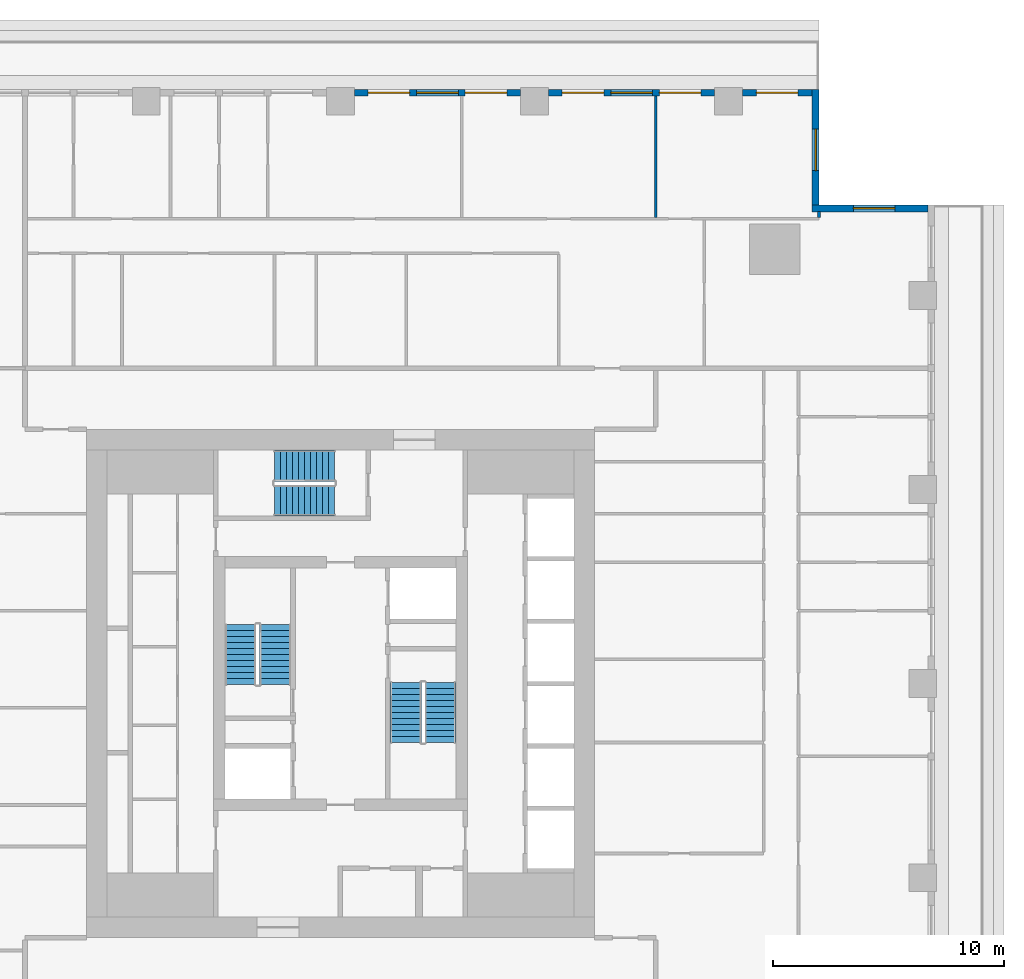
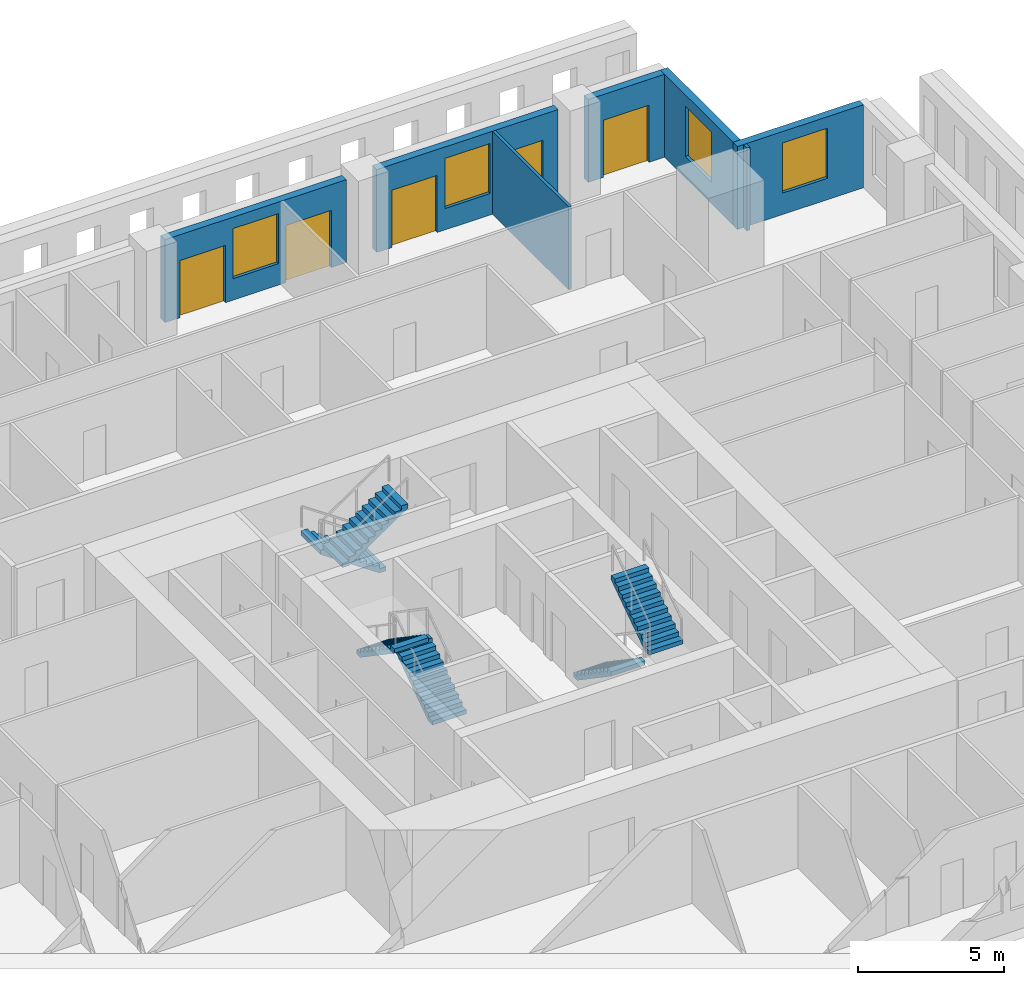
# One storey, part 9 of 14: 7 walls, 6 stair flights, 5 doors, 4 windows, 9 openings, 3 elements without a shape of their own.
"""IFC4 building model written with IfcOpenShell, lengths in metres."""

from ifc_helpers import new_model, si_unit, direction, frame, frame_2d, origin, place, context, subcontext, project, spatial, polyline, rectangle, outline, extrude, material, layer, layer_set, type_object, element, fill, aggregate, save


model = new_model("IFC4")

# Units and contexts
model_context = context("Model", 3, precision=1e-05, world=origin(), true_north=direction((0.0, 1.0)))
body_context = subcontext(model_context, "Body", "Model", "MODEL_VIEW")
ifc_project = project(units=[si_unit("LENGTHUNIT", "METRE"), si_unit("AREAUNIT", "SQUARE_METRE"), si_unit("VOLUMEUNIT", "CUBIC_METRE"), si_unit("PLANEANGLEUNIT", "RADIAN"), si_unit("MASSUNIT", "GRAM", prefix="KILO")], contexts=[model_context])

# Site, building, storey
site_placement = place(None, origin())
site = spatial("IfcSite", under=ifc_project, at=site_placement, CompositionType="ELEMENT")
building_placement = place(site_placement, origin())
building = spatial("IfcBuilding", under=site, at=building_placement, Name="Khepri Terraces", CompositionType="ELEMENT")
storey_placement = place(building_placement, frame((0.0, 0.0, 271.800048828125)))
storey = spatial("IfcBuildingStorey", under=building, at=storey_placement, Name="L65", CompositionType="ELEMENT", Elevation=271.800048828125)

# Wall, opening, window
ifc_material_1 = material(Name="Precast concrete C50/60 warm stone", Category="masonry")
ifc_layer_1 = layer(ifc_material_1, 0.300048828125, Name="Precast concrete C50/60 warm stone", Category="masonry")
ifc_layer_set_1 = layer_set([ifc_layer_1], Name="Precast concrete C50/60 warm stone")
wall_type_1 = type_object("IfcWallType", Name="WL-EXT-PRECAST-300", PredefinedType="STANDARD", material=ifc_layer_set_1)
wall_1_placement = place(storey_placement, frame((25.419921875, 20.570068359375, 0.0), z_axis=(0.0, 0.0, 1.0), x_axis=(-1.0, 0.0, 0.0)))
wall_1 = element("IfcWall", 1, at=wall_1_placement, inside=storey, type_object=wall_type_1, Name="External wall L65 N", PredefinedType="STANDARD", context=body_context, shape_type="SweptSolid", body=[
    extrude(rectangle(XDim=5.0, YDim=0.300048828125, at=frame_2d((2.5, 0.0))), origin(), (0.0, 0.0, 1.0), 3.47998046875),
])
opening_1_placement = place(wall_1_placement, frame((1.419921875, 0.0, 0.89990234375)))
opening_1 = element("IfcOpeningElement", 2, at=opening_1_placement, cuts=wall_1, Name="Opening W1", PredefinedType="OPENING", context=body_context, shape_type="SweptSolid", body=[
    extrude(rectangle(XDim=1.800048828125, YDim=2.10009765625, at=frame_2d((0.89990234375, 1.050048828125))), frame((0.0, 0.16015625, 0.0), z_axis=(0.0, -1.0, 0.0), x_axis=(1.0, 0.0, 0.0)), (0.0, 0.0, 1.0), 0.320068359375),
])
ifc_material_2 = material(Name="Clear glass", Category="glass")
window_type = type_object("IfcWindowType", Name="WIN-RES-1800x2100", PartitioningType="SINGLE_PANEL", PredefinedType="WINDOW", material=ifc_material_2)
window_1_placement = place(opening_1_placement, origin())
window_1 = element("IfcWindow", 3, at=window_1_placement, inside=storey, type_object=window_type, Name="Window L65 N", OverallHeight=2.10009765625, OverallWidth=1.800048828125, PartitioningType="SINGLE_PANEL", PredefinedType="WINDOW", context=body_context, shape_type="SweptSolid", body=[
    extrude(rectangle(XDim=1.800048828125, YDim=2.10009765625, at=frame_2d((0.89990234375, 1.050048828125))), frame((0.0, 0.030029296875, 0.0), z_axis=(0.0, -1.0, 0.0), x_axis=(1.0, 0.0, 0.0)), (0.0, 0.0, 1.0), 0.06005859375),
])
fill(opening_1, window_1)

wall_2_placement = place(storey_placement, frame((20.570068359375, 20.719970703125, 0.0), z_axis=(0.0, 0.0, 1.0), x_axis=(0.0, 1.0, 0.0)))
wall_2 = element("IfcWall", 4, at=wall_2_placement, inside=storey, type_object=wall_type_1, Name="External wall L65 E", PredefinedType="STANDARD", context=body_context, shape_type="SweptSolid", body=[
    extrude(rectangle(XDim=5.0, YDim=0.300048828125, at=frame_2d((2.5, 0.0))), origin(), (0.0, 0.0, 1.0), 3.47998046875),
])
opening_2_placement = place(wall_2_placement, frame((1.47998046875, 0.0, 0.89990234375)))
opening_2 = element("IfcOpeningElement", 5, at=opening_2_placement, cuts=wall_2, Name="Opening W1", PredefinedType="OPENING", context=body_context, shape_type="SweptSolid", body=[
    extrude(rectangle(XDim=1.800048828125, YDim=2.10009765625, at=frame_2d((0.89990234375, 1.050048828125))), frame((0.0, 0.16015625, 0.0), z_axis=(0.0, -1.0, 0.0), x_axis=(1.0, 0.0, 0.0)), (0.0, 0.0, 1.0), 0.320068359375),
])
window_2_placement = place(opening_2_placement, origin())
window_2 = element("IfcWindow", 6, at=window_2_placement, inside=storey, type_object=window_type, Name="Window L65 E", OverallHeight=2.10009765625, OverallWidth=1.800048828125, PartitioningType="SINGLE_PANEL", PredefinedType="WINDOW", context=body_context, shape_type="SweptSolid", body=[
    extrude(rectangle(XDim=1.800048828125, YDim=2.10009765625, at=frame_2d((0.89990234375, 1.050048828125))), frame((0.0, 0.030029296875, 0.0), z_axis=(0.0, -1.0, 0.0), x_axis=(1.0, 0.0, 0.0)), (0.0, 0.0, 1.0), 0.06005859375),
])
fill(opening_2, window_2)

# Wall, opening, door
wall_3_placement = place(storey_placement, frame((20.419921875, 25.570068359375, 0.0), z_axis=(0.0, 0.0, 1.0), x_axis=(-1.0, 0.0, 0.0)))
wall_3 = element("IfcWall", 7, at=wall_3_placement, inside=storey, type_object=wall_type_1, Name="External wall L65 N", PredefinedType="STANDARD", context=body_context, shape_type="SweptSolid", body=[
    extrude(rectangle(XDim=3.02001953125, YDim=0.300048828125, at=frame_2d((1.510009765625, 0.0))), origin(), (0.0, 0.0, 1.0), 3.47998046875),
])
opening_3_placement = place(wall_3_placement, frame((0.6201171875, 0.0, 0.0)))
opening_3 = element("IfcOpeningElement", 8, at=opening_3_placement, cuts=wall_3, Name="Opening ED-L65-05", PredefinedType="OPENING", context=body_context, shape_type="SweptSolid", body=[
    extrude(rectangle(XDim=1.800048828125, YDim=2.39990234375, at=frame_2d((0.89990234375, 1.199951171875))), frame((0.0, 0.16015625, 0.0), z_axis=(0.0, -1.0, 0.0), x_axis=(1.0, 0.0, 0.0)), (0.0, 0.0, 1.0), 0.320068359375),
])
ifc_material_3 = material(Name="Anodised aluminium bronze glazed door", Category="aluminium")
door_type = type_object("IfcDoorType", Name="DR-BAL-SLIDE-1800x2400", OperationType="NOTDEFINED", PredefinedType="DOOR", material=ifc_material_3)
door_1_placement = place(opening_3_placement, origin())
door_1 = element("IfcDoor", 9, at=door_1_placement, inside=storey, type_object=door_type, Name="Balcony door L65 N", OperationType="SLIDING_TO_RIGHT", OverallHeight=2.39990234375, OverallWidth=1.800048828125, PredefinedType="DOOR", context=body_context, shape_type="SweptSolid", body=[
    extrude(rectangle(XDim=1.800048828125, YDim=2.39990234375, at=frame_2d((0.89990234375, 1.199951171875))), frame((0.0, 0.02490234375, 0.0), z_axis=(0.0, -1.0, 0.0), x_axis=(1.0, 0.0, 0.0)), (0.0, 0.0, 1.0), 0.050048828125),
])
fill(opening_3, door_1)

# Wall, openings, doors, window
wall_4_placement = place(storey_placement, frame((16.199951171875, 25.570068359375, 0.0), z_axis=(0.0, 0.0, 1.0), x_axis=(-1.0, 0.0, 0.0)))
wall_4 = element("IfcWall", 10, at=wall_4_placement, inside=storey, type_object=wall_type_1, Name="External wall L65 N", PredefinedType="STANDARD", context=body_context, shape_type="SweptSolid", body=[
    extrude(rectangle(XDim=7.199951171875, YDim=0.300048828125, at=frame_2d((3.60009765625, 0.0))), origin(), (0.0, 0.0, 1.0), 3.47998046875),
])
opening_4_placement = place(wall_4_placement, frame((0.60009765625, 0.0, 0.0)))
opening_4 = element("IfcOpeningElement", 11, at=opening_4_placement, cuts=wall_4, Name="Opening ED-L65-06", PredefinedType="OPENING", context=body_context, shape_type="SweptSolid", body=[
    extrude(rectangle(XDim=1.800048828125, YDim=2.39990234375, at=frame_2d((0.89990234375, 1.199951171875))), frame((0.0, 0.16015625, 0.0), z_axis=(0.0, -1.0, 0.0), x_axis=(1.0, 0.0, 0.0)), (0.0, 0.0, 1.0), 0.320068359375),
])
opening_5_placement = place(wall_4_placement, frame((2.699951171875, 0.0, 0.89990234375)))
opening_5 = element("IfcOpeningElement", 12, at=opening_5_placement, cuts=wall_4, Name="Opening W1", PredefinedType="OPENING", context=body_context, shape_type="SweptSolid", body=[
    extrude(rectangle(XDim=1.800048828125, YDim=2.10009765625, at=frame_2d((0.89990234375, 1.050048828125))), frame((0.0, 0.16015625, 0.0), z_axis=(0.0, -1.0, 0.0), x_axis=(1.0, 0.0, 0.0)), (0.0, 0.0, 1.0), 0.320068359375),
])
opening_6_placement = place(wall_4_placement, frame((4.800048828125, 0.0, 0.0)))
opening_6 = element("IfcOpeningElement", 13, at=opening_6_placement, cuts=wall_4, Name="Opening ED-L65-07", PredefinedType="OPENING", context=body_context, shape_type="SweptSolid", body=[
    extrude(rectangle(XDim=1.800048828125, YDim=2.39990234375, at=frame_2d((0.89990234375, 1.199951171875))), frame((0.0, 0.16015625, 0.0), z_axis=(0.0, -1.0, 0.0), x_axis=(1.0, 0.0, 0.0)), (0.0, 0.0, 1.0), 0.320068359375),
])
door_2_placement = place(opening_4_placement, origin())
door_2 = element("IfcDoor", 14, at=door_2_placement, inside=storey, type_object=door_type, Name="Balcony door L65 N", OperationType="SLIDING_TO_LEFT", OverallHeight=2.39990234375, OverallWidth=1.800048828125, PredefinedType="DOOR", context=body_context, shape_type="SweptSolid", body=[
    extrude(rectangle(XDim=1.800048828125, YDim=2.39990234375, at=frame_2d((0.89990234375, 1.199951171875))), frame((0.0, 0.02490234375, 0.0), z_axis=(0.0, -1.0, 0.0), x_axis=(1.0, 0.0, 0.0)), (0.0, 0.0, 1.0), 0.050048828125),
])
fill(opening_4, door_2)
door_3_placement = place(opening_6_placement, origin())
door_3 = element("IfcDoor", 15, at=door_3_placement, inside=storey, type_object=door_type, Name="Balcony door L65 N", OperationType="SLIDING_TO_RIGHT", OverallHeight=2.39990234375, OverallWidth=1.800048828125, PredefinedType="DOOR", context=body_context, shape_type="SweptSolid", body=[
    extrude(rectangle(XDim=1.800048828125, YDim=2.39990234375, at=frame_2d((0.89990234375, 1.199951171875))), frame((0.0, 0.02490234375, 0.0), z_axis=(0.0, -1.0, 0.0), x_axis=(1.0, 0.0, 0.0)), (0.0, 0.0, 1.0), 0.050048828125),
])
fill(opening_6, door_3)
window_3_placement = place(opening_5_placement, origin())
window_3 = element("IfcWindow", 16, at=window_3_placement, inside=storey, type_object=window_type, Name="Window L65 N", OverallHeight=2.10009765625, OverallWidth=1.800048828125, PartitioningType="SINGLE_PANEL", PredefinedType="WINDOW", context=body_context, shape_type="SweptSolid", body=[
    extrude(rectangle(XDim=1.800048828125, YDim=2.10009765625, at=frame_2d((0.89990234375, 1.050048828125))), frame((0.0, 0.030029296875, 0.0), z_axis=(0.0, -1.0, 0.0), x_axis=(1.0, 0.0, 0.0)), (0.0, 0.0, 1.0), 0.06005859375),
])
fill(opening_5, window_3)

wall_5_placement = place(storey_placement, frame((7.800048828125, 25.570068359375, 0.0), z_axis=(0.0, 0.0, 1.0), x_axis=(-1.0, 0.0, 0.0)))
wall_5 = element("IfcWall", 17, at=wall_5_placement, inside=storey, type_object=wall_type_1, Name="External wall L65 N", PredefinedType="STANDARD", context=body_context, shape_type="SweptSolid", body=[
    extrude(rectangle(XDim=7.199951171875, YDim=0.300048828125, at=frame_2d((3.60009765625, 0.0))), origin(), (0.0, 0.0, 1.0), 3.47998046875),
])
opening_7_placement = place(wall_5_placement, frame((0.60009765625, 0.0, 0.0)))
opening_7 = element("IfcOpeningElement", 18, at=opening_7_placement, cuts=wall_5, Name="Opening ED-L65-08", PredefinedType="OPENING", context=body_context, shape_type="SweptSolid", body=[
    extrude(rectangle(XDim=1.800048828125, YDim=2.39990234375, at=frame_2d((0.89990234375, 1.199951171875))), frame((0.0, 0.16015625, 0.0), z_axis=(0.0, -1.0, 0.0), x_axis=(1.0, 0.0, 0.0)), (0.0, 0.0, 1.0), 0.320068359375),
])
opening_8_placement = place(wall_5_placement, frame((2.699951171875, 0.0, 0.89990234375)))
opening_8 = element("IfcOpeningElement", 19, at=opening_8_placement, cuts=wall_5, Name="Opening W1", PredefinedType="OPENING", context=body_context, shape_type="SweptSolid", body=[
    extrude(rectangle(XDim=1.800048828125, YDim=2.10009765625, at=frame_2d((0.89990234375, 1.050048828125))), frame((0.0, 0.16015625, 0.0), z_axis=(0.0, -1.0, 0.0), x_axis=(1.0, 0.0, 0.0)), (0.0, 0.0, 1.0), 0.320068359375),
])
opening_9_placement = place(wall_5_placement, frame((4.800048828125, 0.0, 0.0)))
opening_9 = element("IfcOpeningElement", 20, at=opening_9_placement, cuts=wall_5, Name="Opening ED-L65-09", PredefinedType="OPENING", context=body_context, shape_type="SweptSolid", body=[
    extrude(rectangle(XDim=1.800048828125, YDim=2.39990234375, at=frame_2d((0.89990234375, 1.199951171875))), frame((0.0, 0.16015625, 0.0), z_axis=(0.0, -1.0, 0.0), x_axis=(1.0, 0.0, 0.0)), (0.0, 0.0, 1.0), 0.320068359375),
])
door_4_placement = place(opening_7_placement, origin())
door_4 = element("IfcDoor", 21, at=door_4_placement, inside=storey, type_object=door_type, Name="Balcony door L65 N", OperationType="SLIDING_TO_LEFT", OverallHeight=2.39990234375, OverallWidth=1.800048828125, PredefinedType="DOOR", context=body_context, shape_type="SweptSolid", body=[
    extrude(rectangle(XDim=1.800048828125, YDim=2.39990234375, at=frame_2d((0.89990234375, 1.199951171875))), frame((0.0, 0.02490234375, 0.0), z_axis=(0.0, -1.0, 0.0), x_axis=(1.0, 0.0, 0.0)), (0.0, 0.0, 1.0), 0.050048828125),
])
fill(opening_7, door_4)
door_5_placement = place(opening_9_placement, origin())
door_5 = element("IfcDoor", 22, at=door_5_placement, inside=storey, type_object=door_type, Name="Balcony door L65 N", OperationType="SLIDING_TO_RIGHT", OverallHeight=2.39990234375, OverallWidth=1.800048828125, PredefinedType="DOOR", context=body_context, shape_type="SweptSolid", body=[
    extrude(rectangle(XDim=1.800048828125, YDim=2.39990234375, at=frame_2d((0.89990234375, 1.199951171875))), frame((0.0, 0.02490234375, 0.0), z_axis=(0.0, -1.0, 0.0), x_axis=(1.0, 0.0, 0.0)), (0.0, 0.0, 1.0), 0.050048828125),
])
fill(opening_9, door_5)
window_4_placement = place(opening_8_placement, origin())
window_4 = element("IfcWindow", 23, at=window_4_placement, inside=storey, type_object=window_type, Name="Window L65 N", OverallHeight=2.10009765625, OverallWidth=1.800048828125, PartitioningType="SINGLE_PANEL", PredefinedType="WINDOW", context=body_context, shape_type="SweptSolid", body=[
    extrude(rectangle(XDim=1.800048828125, YDim=2.10009765625, at=frame_2d((0.89990234375, 1.050048828125))), frame((0.0, 0.030029296875, 0.0), z_axis=(0.0, -1.0, 0.0), x_axis=(1.0, 0.0, 0.0)), (0.0, 0.0, 1.0), 0.06005859375),
])
fill(opening_8, window_4)

# Walls
ifc_material_4 = material(Name="Gypsum plasterboard partition")
ifc_layer_2 = layer(ifc_material_4, 0.1201171875, Name="Gypsum plasterboard partition")
ifc_layer_set_2 = layer_set([ifc_layer_2], Name="Gypsum plasterboard partition")
wall_type_2 = type_object("IfcWallType", Name="WL-PART-120", PredefinedType="PARTITIONING", material=ifc_layer_set_2)
wall_6_placement = place(storey_placement, frame((13.64990234375, 20.179931640625, 0.0), z_axis=(0.0, 0.0, 1.0), x_axis=(0.0, 1.0, 0.0)))
element("IfcWall", 24, at=wall_6_placement, inside=storey, type_object=wall_type_2, Name="Partition P-096 L65", PredefinedType="PARTITIONING", context=body_context, shape_type="SweptSolid", body=[
    extrude(rectangle(XDim=5.239990234375, YDim=0.1201171875, at=frame_2d((2.6201171875, 0.0))), origin(), (0.0, 0.0, 1.0), 3.47998046875),
])
wall_7_placement = place(storey_placement, frame((20.718994140625, 20.179931640625, 0.0), z_axis=(0.0, 0.0, 1.0), x_axis=(0.0, 1.0, 0.0)))
element("IfcWall", 25, at=wall_7_placement, inside=storey, type_object=wall_type_2, Name="Partition P-097 L65", PredefinedType="PARTITIONING", context=body_context, shape_type="SweptSolid", body=[
    extrude(rectangle(XDim=0.240966796875, YDim=0.1201171875, at=frame_2d((0.12060546875, 0.0))), origin(), (0.0, 0.0, 1.0), 3.47998046875),
])

# Stair, stair flights
ifc_material_5 = material(Name="Concrete C40/50", Category="concrete")
stair_type = type_object("IfcStairType", Name="STAIR-RC-22R", PredefinedType="HALF_TURN_STAIR", material=ifc_material_5)
stair_1_placement = place(storey_placement, origin())
stair_1 = element("IfcStair", 26, at=stair_1_placement, inside=storey, type_object=stair_type, Name="L65 Exit Stair ST-1", PredefinedType="HALF_TURN_STAIR")
stair_flight_type = type_object("IfcStairFlightType", Name="SFL-RC-177.3", PredefinedType="STRAIGHT", material=ifc_material_5)
stair_flight_1_placement = place(storey_placement, frame((-2.824951171875, -0.050048828125, 0.0), z_axis=(0.0, 0.0, 1.0), x_axis=(0.0, 1.0, 0.0)))
stair_flight_1 = element("IfcStairFlight", 27, at=stair_flight_1_placement, type_object=stair_flight_type, Name="ST-1 flight 1", NumberOfRisers=11, NumberOfTreads=10, PredefinedType="STRAIGHT", RiserHeight=0.177272727, TreadLength=0.26, context=body_context, shape_type="SweptSolid", body=[
    extrude(outline(polyline([(0.0, 0.0), (0.0, 0.17724609375), (0.260009765625, 0.17724609375), (0.260009765625, 0.3544921875), (0.52001953125, 0.3544921875), (0.52001953125, 0.53173828125), (0.780029296875, 0.53173828125), (0.780029296875, 0.708984375), (1.0400390625, 0.708984375), (1.0400390625, 0.886474609375), (1.300048828125, 0.886474609375), (1.300048828125, 1.063720703125), (1.56005859375, 1.063720703125), (1.56005859375, 1.240966796875), (1.820068359375, 1.240966796875), (1.820068359375, 1.418212890625), (2.080078125, 1.418212890625), (2.080078125, 1.595458984375), (2.340087890625, 1.595458984375), (2.340087890625, 1.772705078125), (2.60009765625, 1.772705078125), (2.60009765625, 1.949951171875), (2.60009765625, 1.59130859375), (0.26611328125, 0.0), (0.0, 0.0)])), frame((0.0, 0.675048828125, 0.0), z_axis=(0.0, -1.0, 0.0), x_axis=(1.0, 0.0, 0.0)), (0.0, 0.0, 1.0), 1.35009765625),
])
stair_flight_2_placement = place(storey_placement, frame((-4.324951171875, 2.550048828125, 1.949951171875), z_axis=(0.0, 0.0, 1.0), x_axis=(0.0, -1.0, 0.0)))
stair_flight_2 = element("IfcStairFlight", 28, at=stair_flight_2_placement, type_object=stair_flight_type, Name="ST-1 flight 2", NumberOfRisers=11, NumberOfTreads=10, PredefinedType="STRAIGHT", RiserHeight=0.177272727, TreadLength=0.26, context=body_context, shape_type="SweptSolid", body=[
    extrude(outline(polyline([(0.0, 0.0), (0.0, 0.17724609375), (0.260009765625, 0.17724609375), (0.260009765625, 0.3544921875), (0.52001953125, 0.3544921875), (0.52001953125, 0.53173828125), (0.780029296875, 0.53173828125), (0.780029296875, 0.708984375), (1.0400390625, 0.708984375), (1.0400390625, 0.886474609375), (1.300048828125, 0.886474609375), (1.300048828125, 1.063720703125), (1.56005859375, 1.063720703125), (1.56005859375, 1.240966796875), (1.820068359375, 1.240966796875), (1.820068359375, 1.418212890625), (2.080078125, 1.418212890625), (2.080078125, 1.595458984375), (2.340087890625, 1.595458984375), (2.340087890625, 1.772705078125), (2.60009765625, 1.772705078125), (2.60009765625, 1.949951171875), (2.60009765625, 1.59130859375), (0.26611328125, 0.0), (0.0, 0.0)])), frame((0.0, 0.675048828125, 0.0), z_axis=(0.0, -1.0, 0.0), x_axis=(1.0, 0.0, 0.0)), (0.0, 0.0, 1.0), 1.35009765625),
])
aggregate(stair_1, [stair_flight_1, stair_flight_2])

stair_2_placement = place(storey_placement, origin())
stair_2 = element("IfcStair", 29, at=stair_2_placement, inside=storey, type_object=stair_type, Name="L65 Exit Stair ST-2", PredefinedType="HALF_TURN_STAIR")
stair_flight_3_placement = place(storey_placement, frame((2.824951171875, 0.050048828125, 0.0), z_axis=(0.0, 0.0, 1.0), x_axis=(0.0, -1.0, 0.0)))
stair_flight_3 = element("IfcStairFlight", 30, at=stair_flight_3_placement, type_object=stair_flight_type, Name="ST-2 flight 1", NumberOfRisers=11, NumberOfTreads=10, PredefinedType="STRAIGHT", RiserHeight=0.177272727, TreadLength=0.26, context=body_context, shape_type="SweptSolid", body=[
    extrude(outline(polyline([(0.0, 0.0), (0.0, 0.17724609375), (0.260009765625, 0.17724609375), (0.260009765625, 0.3544921875), (0.52001953125, 0.3544921875), (0.52001953125, 0.53173828125), (0.780029296875, 0.53173828125), (0.780029296875, 0.708984375), (1.0400390625, 0.708984375), (1.0400390625, 0.886474609375), (1.300048828125, 0.886474609375), (1.300048828125, 1.063720703125), (1.56005859375, 1.063720703125), (1.56005859375, 1.240966796875), (1.820068359375, 1.240966796875), (1.820068359375, 1.418212890625), (2.080078125, 1.418212890625), (2.080078125, 1.595458984375), (2.340087890625, 1.595458984375), (2.340087890625, 1.772705078125), (2.60009765625, 1.772705078125), (2.60009765625, 1.949951171875), (2.60009765625, 1.59130859375), (0.26611328125, 0.0), (0.0, 0.0)])), frame((0.0, 0.675048828125, 0.0), z_axis=(0.0, -1.0, 0.0), x_axis=(1.0, 0.0, 0.0)), (0.0, 0.0, 1.0), 1.35009765625),
])
stair_flight_4_placement = place(storey_placement, frame((4.324951171875, -2.550048828125, 1.949951171875), z_axis=(0.0, 0.0, 1.0), x_axis=(0.0, 1.0, 0.0)))
stair_flight_4 = element("IfcStairFlight", 31, at=stair_flight_4_placement, type_object=stair_flight_type, Name="ST-2 flight 2", NumberOfRisers=11, NumberOfTreads=10, PredefinedType="STRAIGHT", RiserHeight=0.177272727, TreadLength=0.26, context=body_context, shape_type="SweptSolid", body=[
    extrude(outline(polyline([(0.0, 0.0), (0.0, 0.17724609375), (0.260009765625, 0.17724609375), (0.260009765625, 0.3544921875), (0.52001953125, 0.3544921875), (0.52001953125, 0.53173828125), (0.780029296875, 0.53173828125), (0.780029296875, 0.708984375), (1.0400390625, 0.708984375), (1.0400390625, 0.886474609375), (1.300048828125, 0.886474609375), (1.300048828125, 1.063720703125), (1.56005859375, 1.063720703125), (1.56005859375, 1.240966796875), (1.820068359375, 1.240966796875), (1.820068359375, 1.418212890625), (2.080078125, 1.418212890625), (2.080078125, 1.595458984375), (2.340087890625, 1.595458984375), (2.340087890625, 1.772705078125), (2.60009765625, 1.772705078125), (2.60009765625, 1.949951171875), (2.60009765625, 1.59130859375), (0.26611328125, 0.0), (0.0, 0.0)])), frame((0.0, 0.675048828125, 0.0), z_axis=(0.0, -1.0, 0.0), x_axis=(1.0, 0.0, 0.0)), (0.0, 0.0, 1.0), 1.35009765625),
])
aggregate(stair_2, [stair_flight_3, stair_flight_4])

stair_3_placement = place(storey_placement, origin())
stair_3 = element("IfcStair", 32, at=stair_3_placement, inside=storey, type_object=stair_type, Name="L65 Exit Stair ST-3", PredefinedType="HALF_TURN_STAIR")
stair_flight_5_placement = place(storey_placement, frame((-0.25, 9.425048828125, 0.0), z_axis=(0.0, 0.0, 1.0), x_axis=(-1.0, 0.0, 0.0)))
stair_flight_5 = element("IfcStairFlight", 33, at=stair_flight_5_placement, type_object=stair_flight_type, Name="ST-3 flight 1", NumberOfRisers=11, NumberOfTreads=10, PredefinedType="STRAIGHT", RiserHeight=0.177272727, TreadLength=0.26, context=body_context, shape_type="SweptSolid", body=[
    extrude(outline(polyline([(0.0, 0.0), (0.0, 0.17724609375), (0.260009765625, 0.17724609375), (0.260009765625, 0.3544921875), (0.52001953125, 0.3544921875), (0.52001953125, 0.53173828125), (0.780029296875, 0.53173828125), (0.780029296875, 0.708984375), (1.0400390625, 0.708984375), (1.0400390625, 0.886474609375), (1.300048828125, 0.886474609375), (1.300048828125, 1.063720703125), (1.56005859375, 1.063720703125), (1.56005859375, 1.240966796875), (1.820068359375, 1.240966796875), (1.820068359375, 1.418212890625), (2.080078125, 1.418212890625), (2.080078125, 1.595458984375), (2.340087890625, 1.595458984375), (2.340087890625, 1.772705078125), (2.60009765625, 1.772705078125), (2.60009765625, 1.949951171875), (2.60009765625, 1.59130859375), (0.26611328125, 0.0), (0.0, 0.0)])), frame((0.0, 0.675048828125, 0.0), z_axis=(0.0, -1.0, 0.0), x_axis=(1.0, 0.0, 0.0)), (0.0, 0.0, 1.0), 1.35009765625),
])
stair_flight_6_placement = place(storey_placement, frame((-2.85009765625, 7.925048828125, 1.949951171875), z_axis=(0.0, 0.0, 1.0), x_axis=(1.0, 0.0, 0.0)))
stair_flight_6 = element("IfcStairFlight", 34, at=stair_flight_6_placement, type_object=stair_flight_type, Name="ST-3 flight 2", NumberOfRisers=11, NumberOfTreads=10, PredefinedType="STRAIGHT", RiserHeight=0.177272727, TreadLength=0.26, context=body_context, shape_type="SweptSolid", body=[
    extrude(outline(polyline([(0.0, 0.0), (0.0, 0.17724609375), (0.260009765625, 0.17724609375), (0.260009765625, 0.3544921875), (0.52001953125, 0.3544921875), (0.52001953125, 0.53173828125), (0.780029296875, 0.53173828125), (0.780029296875, 0.708984375), (1.0400390625, 0.708984375), (1.0400390625, 0.886474609375), (1.300048828125, 0.886474609375), (1.300048828125, 1.063720703125), (1.56005859375, 1.063720703125), (1.56005859375, 1.240966796875), (1.820068359375, 1.240966796875), (1.820068359375, 1.418212890625), (2.080078125, 1.418212890625), (2.080078125, 1.595458984375), (2.340087890625, 1.595458984375), (2.340087890625, 1.772705078125), (2.60009765625, 1.772705078125), (2.60009765625, 1.949951171875), (2.60009765625, 1.59130859375), (0.26611328125, 0.0), (0.0, 0.0)])), frame((0.0, 0.675048828125, 0.0), z_axis=(0.0, -1.0, 0.0), x_axis=(1.0, 0.0, 0.0)), (0.0, 0.0, 1.0), 1.35009765625),
])
aggregate(stair_3, [stair_flight_5, stair_flight_6])

save(model, "model.ifc")
